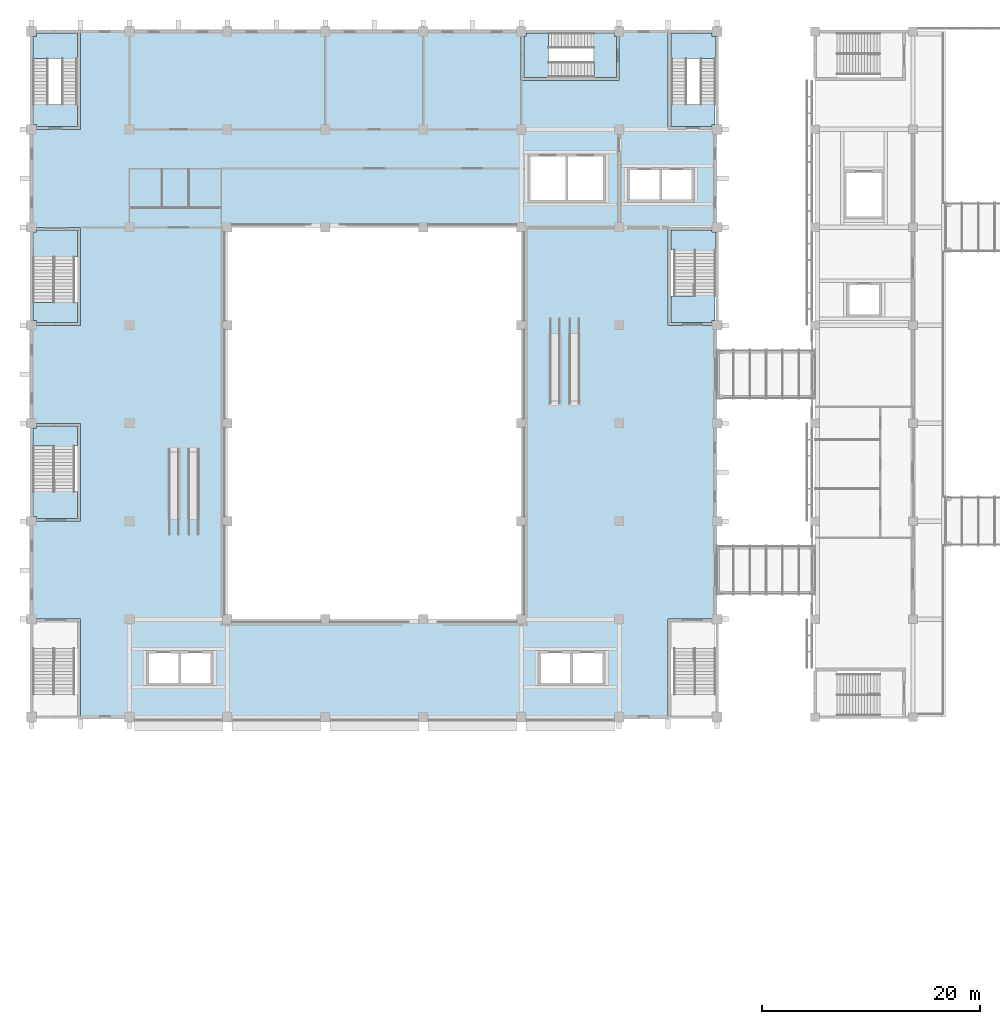
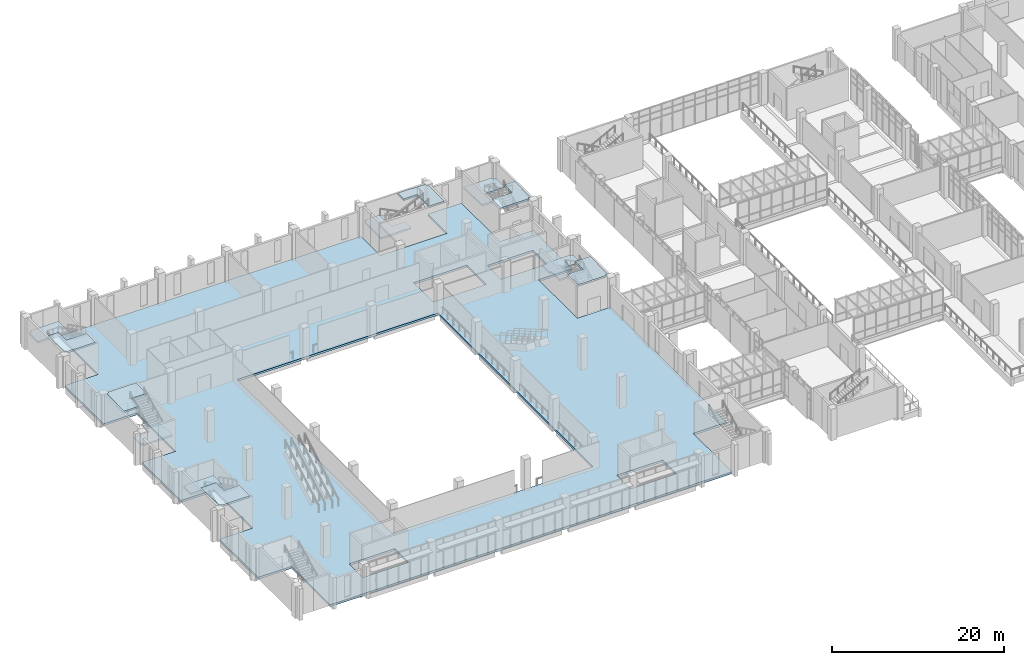
# One storey, part 44 of 88: 13 slabs, 6 elements without a shape of their own.
"""IFC4 building model written with IfcOpenShell, lengths in metres."""

from ifc_helpers import new_model, si_unit, direction, frame, origin, place, context, subcontext, project, spatial, polyline, outline, extrude, material, layer, layer_set, type_object, element, aggregate, save


model = new_model("IFC4")

# Units and contexts
model_context = context("Model", 3, precision=1e-05, world=origin(), true_north=direction((0.0, 1.0)))
body_context = subcontext(model_context, "Body", "Model", "MODEL_VIEW")
ifc_project = project(units=[si_unit("LENGTHUNIT", "METRE"), si_unit("AREAUNIT", "SQUARE_METRE"), si_unit("VOLUMEUNIT", "CUBIC_METRE"), si_unit("PLANEANGLEUNIT", "RADIAN"), si_unit("MASSUNIT", "GRAM", prefix="KILO")], contexts=[model_context])

# Site, building, storey
site_placement = place(None, origin())
site = spatial("IfcSite", under=ifc_project, at=site_placement, CompositionType="ELEMENT")
building_placement = place(site_placement, origin())
building = spatial("IfcBuilding", under=site, at=building_placement, Name="Guidao Yard Department Store", CompositionType="ELEMENT")
storey_placement = place(building_placement, frame((0.0, 0.0, 6.0)))
storey = spatial("IfcBuildingStorey", under=building, at=storey_placement, Name="L01", CompositionType="ELEMENT", Elevation=6.0)

# Slab
ifc_material_1 = material(Name="Concrete C35", Category="concrete")
ifc_layer_1 = layer(ifc_material_1, 0.300048828125)
ifc_layer_set_1 = layer_set([ifc_layer_1], Name="Flat slab 300 C35")
slab_type_1 = type_object("IfcSlabType", Name="Flat slab 300 C35", PredefinedType="FLOOR", material=ifc_layer_set_1)
slab_1_placement = place(storey_placement, frame((0.0, 0.0, -0.300048828125)))
element("IfcSlab", 1, at=slab_1_placement, inside=storey, type_object=slab_type_1, Name="Slab L01-H", PredefinedType="FLOOR", context=body_context, shape_type="SweptSolid", body=[
    extrude(outline(polyline([(58.5, 54.0), (58.5, 45.0), (4.5, 45.0), (4.5, 54.0), (0.0, 54.0), (0.0, 63.0), (4.5, 63.0), (4.5, 72.0), (0.0, 72.0), (0.0, 81.0), (4.5, 81.0), (4.5, 90.0), (0.0, 90.0), (0.0, 99.0), (4.5, 99.0), (4.5, 108.0), (45.0, 108.0), (45.0, 103.5), (54.0, 103.5), (54.0, 108.0), (58.5, 108.0), (58.5, 99.0), (63.0, 99.0), (63.0, 90.0), (58.5, 90.0), (58.5, 81.0), (63.0, 81.0), (63.0, 54.0), (58.5, 54.0)]), holes=[polyline([(16.699951171875, 51.10009765625), (13.75, 51.10009765625), (13.5, 51.10009765625), (10.550048828125, 51.10009765625), (10.550048828125, 47.89990234375), (13.5, 47.89990234375), (13.75, 47.89990234375), (16.699951171875, 47.89990234375), (16.699951171875, 51.10009765625)]), polyline([(46.550048828125, 47.89990234375), (49.5, 47.89990234375), (49.75, 47.89990234375), (52.699951171875, 47.89990234375), (52.699951171875, 51.10009765625), (49.75, 51.10009765625), (49.5, 51.10009765625), (46.550048828125, 51.10009765625), (46.550048828125, 47.89990234375)]), polyline([(18.0, 54.0), (45.0, 54.0), (45.0, 90.0), (18.0, 90.0), (18.0, 54.0)]), polyline([(54.75, 95.5), (54.75, 92.300048828125), (57.699951171875, 92.300048828125), (57.949951171875, 92.300048828125), (60.89990234375, 92.300048828125), (60.89990234375, 95.5), (57.949951171875, 95.5), (57.699951171875, 95.5), (54.75, 95.5)]), polyline([(52.75, 92.25), (52.75, 96.75), (49.300048828125, 96.75), (49.050048828125, 96.75), (45.60009765625, 96.75), (45.60009765625, 92.25), (49.050048828125, 92.25), (49.300048828125, 92.25), (52.75, 92.25)])]), origin(), (0.0, 0.0, 1.0), 0.300048828125),
])

# Stair, slabs
ifc_material_2 = material(Name="Concrete C35", Category="concrete")
stair_type_1 = type_object("IfcStairType", Name="Stair half-turn two-flight 1800 wide 4.5 m rise", PredefinedType="HALF_TURN_STAIR", material=ifc_material_2)
stair_1_placement = place(storey_placement, origin())
stair_1 = element("IfcStair", 2, at=stair_1_placement, inside=storey, type_object=stair_type_1, Name="Stair A1 L01 to L02", PredefinedType="HALF_TURN_STAIR")
ifc_material_3 = material(Name="Concrete C35", Category="concrete")
ifc_layer_2 = layer(ifc_material_3, 0.25)
ifc_layer_set_2 = layer_set([ifc_layer_2], Name="Stair landing RC 250 C35")
slab_type_2 = type_object("IfcSlabType", Name="Stair landing RC 250 C35", PredefinedType="LANDING", material=ifc_layer_set_2)
slab_2_placement = place(storey_placement, frame((0.0, 0.0, 2.0)))
slab_2 = element("IfcSlab", 3, at=slab_2_placement, type_object=slab_type_2, Name="SA1-L01 landing 1", PredefinedType="LANDING", context=body_context, shape_type="SweptSolid", body=[
    extrude(outline(polyline([(2.175048828125, 69.889892578125), (0.125, 69.889892578125), (0.125, 69.89990234375), (0.125, 71.550048828125), (0.449951171875, 71.550048828125), (0.449951171875, 71.75), (4.25, 71.75), (4.25, 69.89990234375), (3.97509765625, 69.89990234375), (3.97509765625, 68.070068359375), (2.175048828125, 68.070068359375), (2.175048828125, 69.889892578125)])), origin(), (0.0, 0.0, 1.0), 0.25),
])
slab_3_placement = place(storey_placement, frame((0.0, 0.0, 4.25)))
slab_3 = element("IfcSlab", 4, at=slab_3_placement, type_object=slab_type_2, Name="SA1-L01 landing 2", PredefinedType="LANDING", context=body_context, shape_type="SweptSolid", body=[
    extrude(outline(polyline([(0.125, 65.699951171875), (0.125, 67.530029296875), (2.175048828125, 67.530029296875), (2.175048828125, 65.7099609375), (4.25, 65.7099609375), (4.25, 63.25), (2.175048828125, 63.25), (0.449951171875, 63.25), (0.449951171875, 63.449951171875), (0.199951171875, 63.449951171875), (0.199951171875, 65.699951171875), (0.125, 65.699951171875)])), origin(), (0.0, 0.0, 1.0), 0.25),
])
aggregate(stair_1, [slab_2, slab_3])

stair_2_placement = place(storey_placement, origin())
stair_2 = element("IfcStair", 5, at=stair_2_placement, inside=storey, type_object=stair_type_1, Name="Stair A3 L01 to L02", PredefinedType="HALF_TURN_STAIR")
slab_4_placement = place(storey_placement, frame((0.0, 0.0, 2.0)))
slab_4 = element("IfcSlab", 6, at=slab_4_placement, type_object=slab_type_2, Name="SA3-L01 landing 1", PredefinedType="LANDING", context=body_context, shape_type="SweptSolid", body=[
    extrude(outline(polyline([(0.449951171875, 81.25), (0.449951171875, 81.449951171875), (0.125, 81.449951171875), (0.125, 83.10009765625), (0.125, 83.110107421875), (2.175048828125, 83.110107421875), (2.175048828125, 84.929931640625), (3.97509765625, 84.929931640625), (3.97509765625, 83.10009765625), (4.25, 83.10009765625), (4.25, 81.25), (0.449951171875, 81.25)])), origin(), (0.0, 0.0, 1.0), 0.25),
])
slab_5_placement = place(storey_placement, frame((0.0, 0.0, 4.25)))
slab_5 = element("IfcSlab", 7, at=slab_5_placement, type_object=slab_type_2, Name="SA3-L01 landing 2", PredefinedType="LANDING", context=body_context, shape_type="SweptSolid", body=[
    extrude(outline(polyline([(0.125, 87.300048828125), (0.199951171875, 87.300048828125), (0.199951171875, 89.550048828125), (0.449951171875, 89.550048828125), (0.449951171875, 89.75), (2.175048828125, 89.75), (4.25, 89.75), (4.25, 87.2900390625), (2.175048828125, 87.2900390625), (2.175048828125, 85.469970703125), (0.125, 85.469970703125), (0.125, 87.300048828125)])), origin(), (0.0, 0.0, 1.0), 0.25),
])
aggregate(stair_2, [slab_4, slab_5])

stair_3_placement = place(storey_placement, origin())
stair_3 = element("IfcStair", 8, at=stair_3_placement, inside=storey, type_object=stair_type_1, Name="Stair A4 L01 to L02", PredefinedType="HALF_TURN_STAIR")
slab_6_placement = place(storey_placement, frame((0.0, 0.0, 2.0)))
slab_6 = element("IfcSlab", 9, at=slab_6_placement, type_object=slab_type_2, Name="SA4-L01 landing 1", PredefinedType="LANDING", context=body_context, shape_type="SweptSolid", body=[
    extrude(outline(polyline([(59.02490234375, 87.89990234375), (58.75, 87.89990234375), (58.75, 89.75), (62.550048828125, 89.75), (62.550048828125, 89.550048828125), (62.875, 89.550048828125), (62.875, 87.89990234375), (62.875, 87.889892578125), (60.824951171875, 87.889892578125), (60.824951171875, 86.070068359375), (59.02490234375, 86.070068359375), (59.02490234375, 87.89990234375)])), origin(), (0.0, 0.0, 1.0), 0.25),
])
slab_7_placement = place(storey_placement, frame((0.0, 0.0, 4.25)))
slab_7 = element("IfcSlab", 10, at=slab_7_placement, type_object=slab_type_2, Name="SA4-L01 landing 2", PredefinedType="LANDING", context=body_context, shape_type="SweptSolid", body=[
    extrude(outline(polyline([(58.75, 81.25), (58.75, 83.7099609375), (60.824951171875, 83.7099609375), (60.824951171875, 85.530029296875), (62.875, 85.530029296875), (62.875, 83.699951171875), (62.800048828125, 83.699951171875), (62.800048828125, 81.449951171875), (62.550048828125, 81.449951171875), (62.550048828125, 81.25), (60.824951171875, 81.25), (58.75, 81.25)])), origin(), (0.0, 0.0, 1.0), 0.25),
])
aggregate(stair_3, [slab_6, slab_7])

ifc_material_4 = material(Name="Concrete C35", Category="concrete")
stair_type_2 = type_object("IfcStairType", Name="Stair half-turn two-flight 1400 wide 4.5 m rise", PredefinedType="HALF_TURN_STAIR", material=ifc_material_4)
stair_4_placement = place(storey_placement, origin())
stair_4 = element("IfcStair", 11, at=stair_4_placement, inside=storey, type_object=stair_type_2, Name="Stair A5 L01 to L02", PredefinedType="HALF_TURN_STAIR")
slab_8_placement = place(storey_placement, frame((0.0, 0.0, 2.0)))
slab_8 = element("IfcSlab", 12, at=slab_8_placement, type_object=slab_type_2, Name="SA5-L01 landing 1", PredefinedType="LANDING", context=body_context, shape_type="SweptSolid", body=[
    extrude(outline(polyline([(2.800048828125, 105.5), (1.52490234375, 105.5), (1.52490234375, 105.489990234375), (0.125, 105.489990234375), (0.125, 105.5), (0.125, 107.550048828125), (0.449951171875, 107.550048828125), (0.449951171875, 107.875), (4.25, 107.875), (4.25, 105.5), (4.199951171875, 105.5), (4.199951171875, 103.669921875), (2.800048828125, 103.669921875), (2.800048828125, 105.5)])), origin(), (0.0, 0.0, 1.0), 0.25),
])
slab_9_placement = place(storey_placement, frame((0.0, 0.0, 4.25)))
slab_9 = element("IfcSlab", 13, at=slab_9_placement, type_object=slab_type_2, Name="SA5-L01 landing 2", PredefinedType="LANDING", context=body_context, shape_type="SweptSolid", body=[
    extrude(outline(polyline([(4.25, 101.31005859375), (4.25, 99.25), (2.800048828125, 99.25), (0.449951171875, 99.25), (0.449951171875, 99.449951171875), (0.199951171875, 99.449951171875), (0.199951171875, 101.300048828125), (0.125, 101.300048828125), (0.125, 103.1298828125), (1.52490234375, 103.1298828125), (1.52490234375, 101.300048828125), (2.800048828125, 101.300048828125), (2.800048828125, 101.31005859375), (4.25, 101.31005859375)])), origin(), (0.0, 0.0, 1.0), 0.25),
])
aggregate(stair_4, [slab_8, slab_9])

stair_5_placement = place(storey_placement, origin())
stair_5 = element("IfcStair", 14, at=stair_5_placement, inside=storey, type_object=stair_type_2, Name="Stair A6 L01 to L02", PredefinedType="HALF_TURN_STAIR")
slab_10_placement = place(storey_placement, frame((0.0, 0.0, 2.0)))
slab_10 = element("IfcSlab", 15, at=slab_10_placement, type_object=slab_type_2, Name="SA6-L01 landing 1", PredefinedType="LANDING", context=body_context, shape_type="SweptSolid", body=[
    extrude(outline(polyline([(58.800048828125, 105.5), (58.75, 105.5), (58.75, 107.875), (62.550048828125, 107.875), (62.550048828125, 107.550048828125), (62.875, 107.550048828125), (62.875, 105.5), (62.875, 105.489990234375), (61.47509765625, 105.489990234375), (61.47509765625, 105.5), (60.199951171875, 105.5), (60.199951171875, 103.669921875), (58.800048828125, 103.669921875), (58.800048828125, 105.5)])), origin(), (0.0, 0.0, 1.0), 0.25),
])
slab_11_placement = place(storey_placement, frame((0.0, 0.0, 4.25)))
slab_11 = element("IfcSlab", 16, at=slab_11_placement, type_object=slab_type_2, Name="SA6-L01 landing 2", PredefinedType="LANDING", context=body_context, shape_type="SweptSolid", body=[
    extrude(outline(polyline([(58.75, 99.25), (58.75, 101.31005859375), (60.199951171875, 101.31005859375), (60.199951171875, 101.300048828125), (61.47509765625, 101.300048828125), (61.47509765625, 103.1298828125), (62.875, 103.1298828125), (62.875, 101.300048828125), (62.800048828125, 101.300048828125), (62.800048828125, 99.449951171875), (62.550048828125, 99.449951171875), (62.550048828125, 99.25), (60.199951171875, 99.25), (58.75, 99.25)])), origin(), (0.0, 0.0, 1.0), 0.25),
])
aggregate(stair_5, [slab_10, slab_11])

stair_6_placement = place(storey_placement, origin())
stair_6 = element("IfcStair", 17, at=stair_6_placement, inside=storey, type_object=stair_type_2, Name="Stair A7 L01 to L02", PredefinedType="HALF_TURN_STAIR")
slab_12_placement = place(storey_placement, frame((0.0, 0.0, 2.0)))
slab_12 = element("IfcSlab", 18, at=slab_12_placement, type_object=slab_type_2, Name="SA7-L01 landing 1", PredefinedType="LANDING", context=body_context, shape_type="SweptSolid", body=[
    extrude(outline(polyline([(47.5, 103.800048828125), (47.5, 103.75), (45.25, 103.75), (45.25, 107.550048828125), (45.449951171875, 107.550048828125), (45.449951171875, 107.875), (47.5, 107.875), (47.510009765625, 107.875), (47.510009765625, 106.47509765625), (47.5, 106.47509765625), (47.5, 105.199951171875), (49.330078125, 105.199951171875), (49.330078125, 103.800048828125), (47.5, 103.800048828125)])), origin(), (0.0, 0.0, 1.0), 0.25),
])
slab_13_placement = place(storey_placement, frame((0.0, 0.0, 4.25)))
slab_13 = element("IfcSlab", 19, at=slab_13_placement, type_object=slab_type_2, Name="SA7-L01 landing 2", PredefinedType="LANDING", context=body_context, shape_type="SweptSolid", body=[
    extrude(outline(polyline([(51.68994140625, 105.199951171875), (51.699951171875, 105.199951171875), (51.699951171875, 106.47509765625), (49.8701171875, 106.47509765625), (49.8701171875, 107.875), (51.699951171875, 107.875), (51.699951171875, 107.800048828125), (53.550048828125, 107.800048828125), (53.550048828125, 107.550048828125), (53.75, 107.550048828125), (53.75, 105.199951171875), (53.75, 103.75), (51.68994140625, 103.75), (51.68994140625, 105.199951171875)])), origin(), (0.0, 0.0, 1.0), 0.25),
])
aggregate(stair_6, [slab_12, slab_13])

save(model, "model.ifc")
